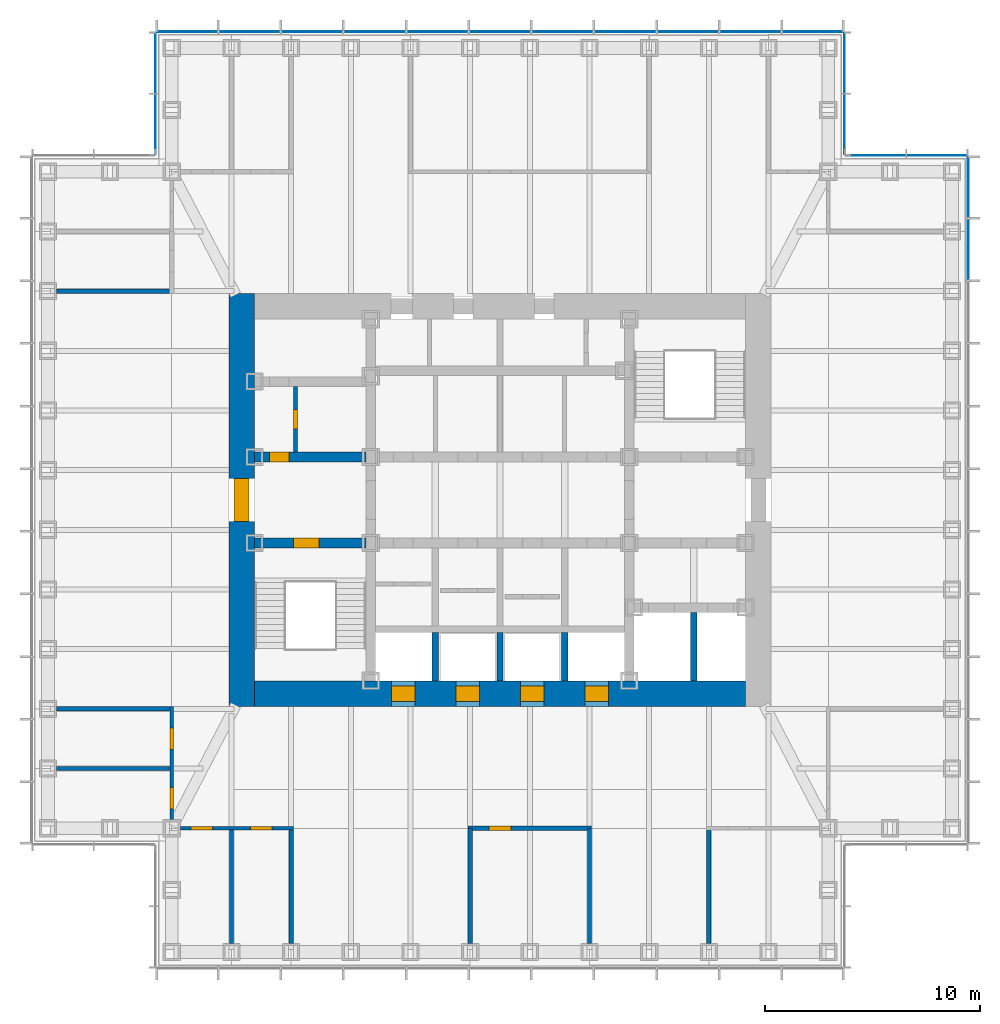
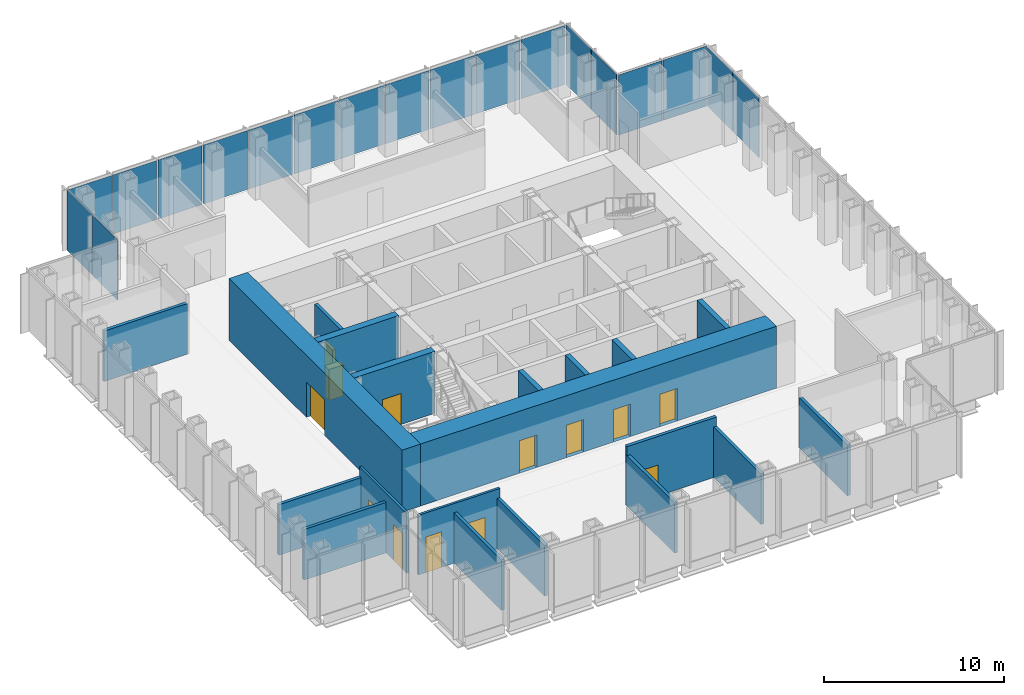
# One storey, part 8 of 16: 20 walls, 19 plates, 13 doors, 13 openings, 5 elements without a shape of their own.
"""IFC4 building model written with IfcOpenShell, lengths in metres."""

import ifcopenshell
import ifcopenshell.guid

model = None  # the IFC model being written
_history = None  # IfcOwnerHistory: only IFC2X3 demands one
_inside = {}  # id of a spatial element -> (the spatial element, [elements in it])
_under = {}  # id of a project, library or spatial element -> (it, [spatial elements below it])
_declared = {}  # id of a project -> (the project, [libraries it declares])
_typed = {}  # id of a type object -> (the type object, [elements of that type])
_made_of = {}  # id of a material, layer set ... -> (it, [elements and type objects made of it])


def new_model(schema):
    """Start an empty IFC model of exactly this schema.

    Asked for "IFC4X3", IfcOpenShell would pick the latest addendum, in which some entities
    have other attributes; the version numbers below select the first issue.
    IFC2X3 requires an IfcOwnerHistory on every rooted entity: one is made here for all.
    """
    global model, _history
    if schema == "IFC4X3":
        model = ifcopenshell.file(schema_version=(4, 3, 0, 0))
    else:
        model = ifcopenshell.file(schema=schema)
    _inside.clear()
    _under.clear()
    _declared.clear()
    _typed.clear()
    _made_of.clear()
    _history = None
    if model.schema == "IFC2X3":
        org = make("IfcOrganization", Name="unknown")
        user = make(
            "IfcPersonAndOrganization",
            ThePerson=make("IfcPerson", FamilyName="unknown"),
            TheOrganization=org,
        )
        app = make(
            "IfcApplication",
            ApplicationDeveloper=org,
            Version="unknown",
            ApplicationFullName="unknown",
            ApplicationIdentifier="unknown",
        )
        _history = make(
            "IfcOwnerHistory",
            OwningUser=user,
            OwningApplication=app,
            ChangeAction="ADDED",
            CreationDate=0,
        )
    return model


def make(cls, **values):
    """One entity of the class cls with the attributes given. An attribute that is None is left unset."""
    return model.create_entity(
        cls, **{name: value for name, value in values.items() if value is not None}
    )


def rooted(cls, **values):
    """An entity with a GlobalId (a new one), such as an element, a storey or a relation."""
    return make(cls, GlobalId=ifcopenshell.guid.new(), OwnerHistory=_history, **values)


def si_unit(unit_type, name, prefix=None):
    """IfcSIUnit, for example si_unit("LENGTHUNIT", "METRE", prefix="MILLI")."""
    return make("IfcSIUnit", UnitType=unit_type, Prefix=prefix, Name=name)


def assignment(units):
    """IfcUnitAssignment: the units of a project."""
    return None if units is None else make("IfcUnitAssignment", Units=units)


def point(xyz):
    """IfcCartesianPoint."""
    return None if xyz is None else make("IfcCartesianPoint", Coordinates=xyz)


def direction(xyz):
    """IfcDirection."""
    return None if xyz is None else make("IfcDirection", DirectionRatios=xyz)


def frame(location, z_axis=None, x_axis=None):
    """IfcAxis2Placement3D, a coordinate frame: its origin and axes. An axis left out is left unset."""
    return make(
        "IfcAxis2Placement3D",
        Location=point(location),
        Axis=direction(z_axis),
        RefDirection=direction(x_axis),
    )


def frame_2d(location, x_axis=None):
    """IfcAxis2Placement2D, a coordinate frame in the plane: its origin and x axis."""
    return make(
        "IfcAxis2Placement2D", Location=point(location), RefDirection=direction(x_axis)
    )


def origin():
    """The frame at (0, 0, 0) with its axes left unset."""
    return frame((0.0, 0.0, 0.0))


def origin_2d():
    """The frame at (0, 0) in the plane with its x axis left unset."""
    return frame_2d((0.0, 0.0))


def place(relative_to, where):
    """IfcLocalPlacement: puts the frame where relative to a parent placement (None: the world)."""
    return make(
        "IfcLocalPlacement", PlacementRelTo=relative_to, RelativePlacement=where
    )


def context(
    kind, dimensions, precision=None, world=None, true_north=None, identifier=None
):
    """IfcGeometricRepresentationContext, for example the 3D "Model" context."""
    return make(
        "IfcGeometricRepresentationContext",
        ContextIdentifier=identifier,
        ContextType=kind,
        CoordinateSpaceDimension=dimensions,
        Precision=precision,
        WorldCoordinateSystem=world,
        TrueNorth=true_north,
    )


def subcontext(parent, identifier, kind, view, scale=None):
    """IfcGeometricRepresentationSubContext, for example "Body" below "Model"."""
    return make(
        "IfcGeometricRepresentationSubContext",
        ContextIdentifier=identifier,
        ContextType=kind,
        ParentContext=parent,
        TargetScale=scale,
        TargetView=view,
    )


def project(units=None, contexts=None):
    """IfcProject with its units and contexts."""
    return rooted(
        "IfcProject",
        Name="project",
        RepresentationContexts=contexts,
        UnitsInContext=assignment(units),
    )


def spatial(cls, under=None, at=None, **own):
    """A site, building, storey or space (cls), placed at a placement, below another one or the project."""
    s = rooted(cls, ObjectPlacement=at, **own)
    if under is not None:
        _under.setdefault(under.id(), (under, []))[1].append(s)
    return s


def profile(cls, at=None, kind="AREA", **sizes):
    """A parametric profile (cls). Its sizes go by their IFC names, for example OverallWidth=200.0."""
    return make(cls, ProfileType=kind, Position=at, **sizes)


def rectangle(**sizes):
    """IfcRectangleProfileDef."""
    return profile("IfcRectangleProfileDef", **sizes)


def extrude(swept, where, along, depth):
    """IfcExtrudedAreaSolid: the profile swept, set in the frame where, extruded along a direction by depth."""
    return make(
        "IfcExtrudedAreaSolid",
        SweptArea=swept,
        Position=where,
        ExtrudedDirection=direction(along),
        Depth=depth,
    )


def shape(context_of_items, identifier, shape_type, items):
    """IfcShapeRepresentation: the items that make up one representation, for example the "Body"."""
    return make(
        "IfcShapeRepresentation",
        ContextOfItems=context_of_items,
        RepresentationIdentifier=identifier,
        RepresentationType=shape_type,
        Items=items,
    )


def material(Name=None, Category=None):
    """IfcMaterial."""
    return make("IfcMaterial", Name=Name, Category=Category)


def layer(
    of_material, thickness, ventilated=None, Name=None, Category=None, Priority=None
):
    """IfcMaterialLayer: one layer of a wall or slab, of a material (None: an air gap)."""
    return make(
        "IfcMaterialLayer",
        Material=of_material,
        LayerThickness=thickness,
        IsVentilated=ventilated,
        Name=Name,
        Category=Category,
        Priority=Priority,
    )


def layer_set(layers, Name=None):
    """IfcMaterialLayerSet."""
    return make("IfcMaterialLayerSet", MaterialLayers=layers, LayerSetName=Name)


def made_of(thing, what):
    """Note that an element or type object is made of a material, layer set ...; save() writes the relation."""
    if what is not None:
        _made_of.setdefault(what.id(), (what, []))[1].append(thing)
    return thing


def type_object(cls, material=None, **own):
    """A type object (cls), such as IfcWallType, which elements share."""
    return made_of(rooted(cls, **own), material)


def element(
    cls,
    number,
    at=None,
    inside=None,
    cuts=None,
    type_object=None,
    material=None,
    context=None,
    identifier="Body",
    shape_type=None,
    held_by="IfcProductDefinitionShape",
    body=None,
    shapes=None,
    **own,
):
    """One element of the class cls, such as IfcWall. Its Tag is "e" and its number.

    at: its placement. inside: the storey or other place that contains it. cuts: it is an
    opening in that element (IfcRelVoidsElement). A single representation is given by context,
    identifier, shape_type and body (its items); several are given by shapes. held_by: the class
    of the entity that holds the representations. save() writes the other relations.
    """
    e = rooted(cls, Tag="e%d" % number, ObjectPlacement=at, **own)
    if body is not None:
        shapes = [shape(context, identifier, shape_type, body)]
    if shapes is not None:
        e.Representation = make(held_by, Representations=shapes)
    if inside is not None:
        _inside.setdefault(inside.id(), (inside, []))[1].append(e)
    if cuts is not None:
        rooted(
            "IfcRelVoidsElement", RelatingBuildingElement=cuts, RelatedOpeningElement=e
        )
    if type_object is not None:
        _typed.setdefault(type_object.id(), (type_object, []))[1].append(e)
    return made_of(e, material)


def fill(opening, filler):
    """IfcRelFillsElement: the door or window that sits in an opening."""
    return rooted(
        "IfcRelFillsElement",
        RelatingOpeningElement=opening,
        RelatedBuildingElement=filler,
    )


def aggregate(whole, parts):
    """IfcRelAggregates: a whole, such as a stair, and the parts it consists of."""
    return rooted("IfcRelAggregates", RelatingObject=whole, RelatedObjects=parts)


def save(model, path):
    """Write the relations noted so far, then the file.

    IfcRelAggregates (storeys below a building ...), IfcRelContainedInSpatialStructure (elements
    in a storey), IfcRelDefinesByType, IfcRelAssociatesMaterial and IfcRelDeclares: one each for
    every whole, place, type object, material and project.
    """
    for whole, parts in _under.values():
        aggregate(whole, parts)
    for where, things in _inside.values():
        rooted(
            "IfcRelContainedInSpatialStructure",
            RelatedElements=things,
            RelatingStructure=where,
        )
    for kind, things in _typed.values():
        rooted("IfcRelDefinesByType", RelatedObjects=things, RelatingType=kind)
    for what, things in _made_of.values():
        rooted("IfcRelAssociatesMaterial", RelatedObjects=things, RelatingMaterial=what)
    for by, libraries in _declared.values():
        rooted("IfcRelDeclares", RelatingContext=by, RelatedDefinitions=libraries)
    model.write(path)


model = new_model("IFC4")

# Units and contexts
model_context = context("Model", 3, precision=1e-05, world=origin(), true_north=direction((0.0, 1.0)))
body_context = subcontext(model_context, "Body", "Model", "MODEL_VIEW")
ifc_project = project(units=[si_unit("LENGTHUNIT", "METRE"), si_unit("AREAUNIT", "SQUARE_METRE"), si_unit("VOLUMEUNIT", "CUBIC_METRE"), si_unit("PLANEANGLEUNIT", "RADIAN"), si_unit("MASSUNIT", "GRAM", prefix="KILO")], contexts=[model_context])

# Site, building, storey
site_placement = place(None, origin())
site = spatial("IfcSite", under=ifc_project, at=site_placement, CompositionType="ELEMENT")
building_placement = place(site_placement, origin())
building = spatial("IfcBuilding", under=site, at=building_placement, Name="Daluyong Arena Tower", CompositionType="ELEMENT")
storey_placement = place(building_placement, frame((0.0, 0.0, 262.89990234375)))
storey = spatial("IfcBuildingStorey", under=building, at=storey_placement, Name="L59", CompositionType="ELEMENT", Elevation=262.89990234375)

# Curtain wall, plates
ifc_material_1 = material(Name="Bronze anodised aluminium and glass", Category="aluminium")
curtain_wall_type_1 = type_object("IfcCurtainWallType", Name="Curtain wall CW4", PredefinedType="USERDEFINED", material=ifc_material_1)
curtain_wall_1_placement = place(storey_placement, origin())
curtain_wall_1 = element("IfcCurtainWall", 1, at=curtain_wall_1_placement, inside=storey, type_object=curtain_wall_type_1, Name="curtain wall L59 E", ObjectType="UNITISED CURTAIN WALL", PredefinedType="USERDEFINED")
ifc_material_2 = material(Name="Tinted laminated double glazed unit", Category="glass")
ifc_layer_1 = layer(ifc_material_2, 0.035888671875)
ifc_layer_set_1 = layer_set([ifc_layer_1], Name="Tinted laminated double glazed unit")
plate_type_1 = type_object("IfcPlateType", Name="CW4 panel 36", PredefinedType="CURTAIN_PANEL", material=ifc_layer_set_1)
plate_1_placement = place(storey_placement, frame((77.75, 91.636474609375, 0.0), z_axis=(0.0, 0.0, 1.0), x_axis=(0.0, 1.0, 0.0)))
plate_1 = element("IfcPlate", 2, at=plate_1_placement, type_object=plate_type_1, Name="curtain wall L59 E panel 10", PredefinedType="CURTAIN_PANEL", context=body_context, shape_type="SweptSolid", body=[
    extrude(rectangle(XDim=2.819091796875, YDim=0.035888671875, at=origin_2d()), origin(), (0.0, 0.0, 1.0), 4.0),
])
plate_2_placement = place(storey_placement, frame((77.75, 94.52294921875, 0.0), z_axis=(0.0, 0.0, 1.0), x_axis=(0.0, 1.0, 0.0)))
plate_2 = element("IfcPlate", 3, at=plate_2_placement, type_object=plate_type_1, Name="curtain wall L59 E panel 11", PredefinedType="CURTAIN_PANEL", context=body_context, shape_type="SweptSolid", body=[
    extrude(rectangle(XDim=2.774169921875, YDim=0.035888671875, at=origin_2d()), origin(), (0.0, 0.0, 1.0), 4.0),
])
aggregate(curtain_wall_1, [plate_1, plate_2])

curtain_wall_2_placement = place(storey_placement, origin())
curtain_wall_2 = element("IfcCurtainWall", 4, at=curtain_wall_2_placement, inside=storey, type_object=curtain_wall_type_1, Name="curtain wall L59 N", ObjectType="UNITISED CURTAIN WALL", PredefinedType="USERDEFINED")
plate_3_placement = place(storey_placement, frame((70.52294921875, 101.75, 0.0), z_axis=(0.0, 0.0, 1.0), x_axis=(-1.0, 0.0, 0.0)))
plate_3 = element("IfcPlate", 5, at=plate_3_placement, type_object=plate_type_1, Name="curtain wall L59 N panel 1", PredefinedType="CURTAIN_PANEL", context=body_context, shape_type="SweptSolid", body=[
    extrude(rectangle(XDim=2.774169921875, YDim=0.035888671875, at=origin_2d()), origin(), (0.0, 0.0, 1.0), 4.0),
])
plate_4_placement = place(storey_placement, frame((67.636474609375, 101.75, 0.0), z_axis=(0.0, 0.0, 1.0), x_axis=(-1.0, 0.0, 0.0)))
plate_4 = element("IfcPlate", 6, at=plate_4_placement, type_object=plate_type_1, Name="curtain wall L59 N panel 2", PredefinedType="CURTAIN_PANEL", context=body_context, shape_type="SweptSolid", body=[
    extrude(rectangle(XDim=2.819091796875, YDim=0.035888671875, at=origin_2d()), origin(), (0.0, 0.0, 1.0), 4.0),
])
plate_5_placement = place(storey_placement, frame((64.727294921875, 101.75, 0.0), z_axis=(0.0, 0.0, 1.0), x_axis=(-1.0, 0.0, 0.0)))
plate_5 = element("IfcPlate", 7, at=plate_5_placement, type_object=plate_type_1, Name="curtain wall L59 N panel 3", PredefinedType="CURTAIN_PANEL", context=body_context, shape_type="SweptSolid", body=[
    extrude(rectangle(XDim=2.819091796875, YDim=0.035888671875, at=origin_2d()), origin(), (0.0, 0.0, 1.0), 4.0),
])
plate_6_placement = place(storey_placement, frame((61.818115234375, 101.75, 0.0), z_axis=(0.0, 0.0, 1.0), x_axis=(-1.0, 0.0, 0.0)))
plate_6 = element("IfcPlate", 8, at=plate_6_placement, type_object=plate_type_1, Name="curtain wall L59 N panel 4", PredefinedType="CURTAIN_PANEL", context=body_context, shape_type="SweptSolid", body=[
    extrude(rectangle(XDim=2.819091796875, YDim=0.035888671875, at=origin_2d()), origin(), (0.0, 0.0, 1.0), 4.0),
])
plate_7_placement = place(storey_placement, frame((58.9091796875, 101.75, 0.0), z_axis=(0.0, 0.0, 1.0), x_axis=(-1.0, 0.0, 0.0)))
plate_7 = element("IfcPlate", 9, at=plate_7_placement, type_object=plate_type_1, Name="curtain wall L59 N panel 5", PredefinedType="CURTAIN_PANEL", context=body_context, shape_type="SweptSolid", body=[
    extrude(rectangle(XDim=2.819091796875, YDim=0.035888671875, at=origin_2d()), origin(), (0.0, 0.0, 1.0), 4.0),
])
plate_8_placement = place(storey_placement, frame((56.0, 101.75, 0.0), z_axis=(0.0, 0.0, 1.0), x_axis=(-1.0, 0.0, 0.0)))
plate_8 = element("IfcPlate", 10, at=plate_8_placement, type_object=plate_type_1, Name="curtain wall L59 N panel 6", PredefinedType="CURTAIN_PANEL", context=body_context, shape_type="SweptSolid", body=[
    extrude(rectangle(XDim=2.819091796875, YDim=0.035888671875, at=origin_2d()), origin(), (0.0, 0.0, 1.0), 4.0),
])
plate_9_placement = place(storey_placement, frame((53.0908203125, 101.75, 0.0), z_axis=(0.0, 0.0, 1.0), x_axis=(-1.0, 0.0, 0.0)))
plate_9 = element("IfcPlate", 11, at=plate_9_placement, type_object=plate_type_1, Name="curtain wall L59 N panel 7", PredefinedType="CURTAIN_PANEL", context=body_context, shape_type="SweptSolid", body=[
    extrude(rectangle(XDim=2.819091796875, YDim=0.035888671875, at=origin_2d()), origin(), (0.0, 0.0, 1.0), 4.0),
])
plate_10_placement = place(storey_placement, frame((50.181884765625, 101.75, 0.0), z_axis=(0.0, 0.0, 1.0), x_axis=(-1.0, 0.0, 0.0)))
plate_10 = element("IfcPlate", 12, at=plate_10_placement, type_object=plate_type_1, Name="curtain wall L59 N panel 8", PredefinedType="CURTAIN_PANEL", context=body_context, shape_type="SweptSolid", body=[
    extrude(rectangle(XDim=2.819091796875, YDim=0.035888671875, at=origin_2d()), origin(), (0.0, 0.0, 1.0), 4.0),
])
plate_11_placement = place(storey_placement, frame((47.272705078125, 101.75, 0.0), z_axis=(0.0, 0.0, 1.0), x_axis=(-1.0, 0.0, 0.0)))
plate_11 = element("IfcPlate", 13, at=plate_11_placement, type_object=plate_type_1, Name="curtain wall L59 N panel 9", PredefinedType="CURTAIN_PANEL", context=body_context, shape_type="SweptSolid", body=[
    extrude(rectangle(XDim=2.819091796875, YDim=0.035888671875, at=origin_2d()), origin(), (0.0, 0.0, 1.0), 4.0),
])
plate_12_placement = place(storey_placement, frame((44.363525390625, 101.75, 0.0), z_axis=(0.0, 0.0, 1.0), x_axis=(-1.0, 0.0, 0.0)))
plate_12 = element("IfcPlate", 14, at=plate_12_placement, type_object=plate_type_1, Name="curtain wall L59 N panel 10", PredefinedType="CURTAIN_PANEL", context=body_context, shape_type="SweptSolid", body=[
    extrude(rectangle(XDim=2.819091796875, YDim=0.035888671875, at=origin_2d()), origin(), (0.0, 0.0, 1.0), 4.0),
])
plate_13_placement = place(storey_placement, frame((41.47705078125, 101.75, 0.0), z_axis=(0.0, 0.0, 1.0), x_axis=(-1.0, 0.0, 0.0)))
plate_13 = element("IfcPlate", 15, at=plate_13_placement, type_object=plate_type_1, Name="curtain wall L59 N panel 11", PredefinedType="CURTAIN_PANEL", context=body_context, shape_type="SweptSolid", body=[
    extrude(rectangle(XDim=2.774169921875, YDim=0.035888671875, at=origin_2d()), origin(), (0.0, 0.0, 1.0), 4.0),
])
aggregate(curtain_wall_2, [plate_3, plate_4, plate_5, plate_6, plate_7, plate_8, plate_9, plate_10, plate_11, plate_12, plate_13])

ifc_material_3 = material(Name="Bronze anodised aluminium and glass", Category="aluminium")
curtain_wall_type_2 = type_object("IfcCurtainWallType", Name="Curtain wall CW7", PredefinedType="USERDEFINED", material=ifc_material_3)
curtain_wall_3_placement = place(storey_placement, origin())
curtain_wall_3 = element("IfcCurtainWall", 16, at=curtain_wall_3_placement, inside=storey, type_object=curtain_wall_type_2, Name="curtain wall L59 NE-N", ObjectType="UNITISED CURTAIN WALL", PredefinedType="USERDEFINED")
ifc_material_4 = material(Name="Tinted double glazed unit", Category="glass")
ifc_layer_2 = layer(ifc_material_4, 0.028076171875)
ifc_layer_set_2 = layer_set([ifc_layer_2], Name="Tinted double glazed unit")
plate_type_2 = type_object("IfcPlateType", Name="CW7 panel 28", PredefinedType="CURTAIN_PANEL", material=ifc_layer_set_2)
plate_14_placement = place(storey_placement, frame((76.297607421875, 96.0, 0.0), z_axis=(0.0, 0.0, 1.0), x_axis=(-1.0, 0.0, 0.0)))
plate_14 = element("IfcPlate", 17, at=plate_14_placement, type_object=plate_type_2, Name="curtain wall L59 NE-N panel 1", PredefinedType="CURTAIN_PANEL", context=body_context, shape_type="SweptSolid", body=[
    extrude(rectangle(XDim=2.784912109375, YDim=0.028076171875, at=origin_2d()), origin(), (0.0, 0.0, 1.0), 4.080078125),
])
plate_15_placement = place(storey_placement, frame((73.452392578125, 96.0, 0.0), z_axis=(0.0, 0.0, 1.0), x_axis=(-1.0, 0.0, 0.0)))
plate_15 = element("IfcPlate", 18, at=plate_15_placement, type_object=plate_type_2, Name="curtain wall L59 NE-N panel 2", PredefinedType="CURTAIN_PANEL", context=body_context, shape_type="SweptSolid", body=[
    extrude(rectangle(XDim=2.784912109375, YDim=0.028076171875, at=origin_2d()), origin(), (0.0, 0.0, 1.0), 4.080078125),
])
aggregate(curtain_wall_3, [plate_14, plate_15])

curtain_wall_4_placement = place(storey_placement, origin())
curtain_wall_4 = element("IfcCurtainWall", 19, at=curtain_wall_4_placement, inside=storey, type_object=curtain_wall_type_2, Name="curtain wall L59 NE-E", ObjectType="UNITISED CURTAIN WALL", PredefinedType="USERDEFINED")
plate_16_placement = place(storey_placement, frame((72.0, 97.452392578125, 0.0), z_axis=(0.0, 0.0, 1.0), x_axis=(0.0, 1.0, 0.0)))
plate_16 = element("IfcPlate", 20, at=plate_16_placement, type_object=plate_type_2, Name="curtain wall L59 NE-E panel 1", PredefinedType="CURTAIN_PANEL", context=body_context, shape_type="SweptSolid", body=[
    extrude(rectangle(XDim=2.784912109375, YDim=0.028076171875, at=origin_2d()), origin(), (0.0, 0.0, 1.0), 4.080078125),
])
plate_17_placement = place(storey_placement, frame((72.0, 100.297607421875, 0.0), z_axis=(0.0, 0.0, 1.0), x_axis=(0.0, 1.0, 0.0)))
plate_17 = element("IfcPlate", 21, at=plate_17_placement, type_object=plate_type_2, Name="curtain wall L59 NE-E panel 2", PredefinedType="CURTAIN_PANEL", context=body_context, shape_type="SweptSolid", body=[
    extrude(rectangle(XDim=2.784912109375, YDim=0.028076171875, at=origin_2d()), origin(), (0.0, 0.0, 1.0), 4.080078125),
])
aggregate(curtain_wall_4, [plate_16, plate_17])

curtain_wall_5_placement = place(storey_placement, origin())
curtain_wall_5 = element("IfcCurtainWall", 22, at=curtain_wall_5_placement, inside=storey, type_object=curtain_wall_type_2, Name="curtain wall L59 NW-W", ObjectType="UNITISED CURTAIN WALL", PredefinedType="USERDEFINED")
plate_18_placement = place(storey_placement, frame((40.0, 100.297607421875, 0.0), z_axis=(0.0, 0.0, 1.0), x_axis=(0.0, -1.0, 0.0)))
plate_18 = element("IfcPlate", 23, at=plate_18_placement, type_object=plate_type_2, Name="curtain wall L59 NW-W panel 1", PredefinedType="CURTAIN_PANEL", context=body_context, shape_type="SweptSolid", body=[
    extrude(rectangle(XDim=2.784912109375, YDim=0.028076171875, at=origin_2d()), origin(), (0.0, 0.0, 1.0), 4.080078125),
])
plate_19_placement = place(storey_placement, frame((40.0, 97.452392578125, 0.0), z_axis=(0.0, 0.0, 1.0), x_axis=(0.0, -1.0, 0.0)))
plate_19 = element("IfcPlate", 24, at=plate_19_placement, type_object=plate_type_2, Name="curtain wall L59 NW-W panel 2", PredefinedType="CURTAIN_PANEL", context=body_context, shape_type="SweptSolid", body=[
    extrude(rectangle(XDim=2.784912109375, YDim=0.028076171875, at=origin_2d()), origin(), (0.0, 0.0, 1.0), 4.080078125),
])
aggregate(curtain_wall_5, [plate_18, plate_19])

# Wall, opening, door
ifc_material_5 = material(Name="Concrete fc' 45 MPa", Category="concrete")
ifc_layer_3 = layer(ifc_material_5, 0.449951171875)
ifc_layer_set_3 = layer_set([ifc_layer_3], Name="Concrete fc' 45 MPa")
wall_type_1 = type_object("IfcWallType", Name="Core inner wall 450", PredefinedType="SHEAR", material=ifc_layer_set_3)
wall_1_placement = place(storey_placement, frame((44.60009765625, 78.0, 0.0), z_axis=(0.0, 0.0, 1.0), x_axis=(1.0, 0.0, 0.0)))
wall_1 = element("IfcWall", 25, at=wall_1_placement, inside=storey, type_object=wall_type_1, Name="core inner wall at L59", PredefinedType="SHEAR", context=body_context, shape_type="SweptSolid", body=[
    extrude(rectangle(XDim=5.1748046875, YDim=0.449951171875, at=frame_2d((2.58740234375, 0.0))), origin(), (0.0, 0.0, 1.0), 4.2001953125),
])
opening_1_placement = place(wall_1_placement, frame((1.800048828125, 0.0, 0.0)))
opening_1 = element("IfcOpeningElement", 26, at=opening_1_placement, cuts=wall_1, Name="Opening 59019", PredefinedType="OPENING", context=body_context, shape_type="SweptSolid", body=[
    extrude(rectangle(XDim=1.199951171875, YDim=2.10009765625, at=frame_2d((0.60009765625, 1.050048828125))), frame((0.0, 0.23486328125, 0.0), z_axis=(0.0, -1.0, 0.0), x_axis=(1.0, 0.0, 0.0)), (0.0, 0.0, 1.0), 0.469970703125),
])
ifc_material_6 = material(Name="Steel door, fire rated", Category="steel")
door_type_1 = type_object("IfcDoorType", Name="Stair door 1200", OperationType="SINGLE_SWING_LEFT", PredefinedType="DOOR", material=ifc_material_6)
door_1_placement = place(opening_1_placement, origin())
door_1 = element("IfcDoor", 27, at=door_1_placement, inside=storey, type_object=door_type_1, Name="stair A door 59019", OperationType="SINGLE_SWING_LEFT", OverallHeight=2.10009765625, OverallWidth=1.199951171875, PredefinedType="DOOR", context=body_context, shape_type="SweptSolid", body=[
    extrude(rectangle(XDim=1.199951171875, YDim=2.10009765625, at=frame_2d((0.60009765625, 1.050048828125))), frame((0.0, 0.224609375, 0.0), z_axis=(0.0, -1.0, 0.0), x_axis=(1.0, 0.0, 0.0)), (0.0, 0.0, 1.0), 0.449462890625),
])
fill(opening_1, door_1)

wall_2_placement = place(storey_placement, frame((44.60009765625, 82.0, 0.0), z_axis=(0.0, 0.0, 1.0), x_axis=(1.0, 0.0, 0.0)))
wall_2 = element("IfcWall", 28, at=wall_2_placement, inside=storey, type_object=wall_type_1, Name="core inner wall at L59", PredefinedType="SHEAR", context=body_context, shape_type="SweptSolid", body=[
    extrude(rectangle(XDim=5.1748046875, YDim=0.449951171875, at=frame_2d((2.58740234375, 0.0))), origin(), (0.0, 0.0, 1.0), 4.2001953125),
])
opening_2_placement = place(wall_2_placement, frame((0.699951171875, 0.0, 0.0)))
opening_2 = element("IfcOpeningElement", 29, at=opening_2_placement, cuts=wall_2, Name="Opening 59001", PredefinedType="OPENING", context=body_context, shape_type="SweptSolid", body=[
    extrude(rectangle(XDim=0.89990234375, YDim=2.10009765625, at=frame_2d((0.449951171875, 1.050048828125))), frame((0.0, 0.23486328125, 0.0), z_axis=(0.0, -1.0, 0.0), x_axis=(1.0, 0.0, 0.0)), (0.0, 0.0, 1.0), 0.469970703125),
])
ifc_material_7 = material(Name="Steel door, fire rated", Category="steel")
door_type_2 = type_object("IfcDoorType", Name="Core room door 900", OperationType="SINGLE_SWING_LEFT", PredefinedType="DOOR", material=ifc_material_7)
door_2_placement = place(opening_2_placement, origin())
door_2 = element("IfcDoor", 30, at=door_2_placement, inside=storey, type_object=door_type_2, Name="toilet lobby door 59001", OperationType="SINGLE_SWING_LEFT", OverallHeight=2.10009765625, OverallWidth=0.89990234375, PredefinedType="DOOR", context=body_context, shape_type="SweptSolid", body=[
    extrude(rectangle(XDim=0.89990234375, YDim=2.10009765625, at=frame_2d((0.449951171875, 1.050048828125))), frame((0.0, 0.224609375, 0.0), z_axis=(0.0, -1.0, 0.0), x_axis=(1.0, 0.0, 0.0)), (0.0, 0.0, 1.0), 0.449462890625),
])
fill(opening_2, door_2)

ifc_material_8 = material(Name="Concrete fc' 60 MPa", Category="concrete")
ifc_layer_4 = layer(ifc_material_8, 1.199951171875)
ifc_layer_set_4 = layer_set([ifc_layer_4], Name="Concrete fc' 60 MPa")
wall_type_2 = type_object("IfcWallType", Name="Core wall 1200", PredefinedType="SHEAR", material=ifc_layer_set_4)
wall_3_placement = place(storey_placement, frame((44.0, 70.39990234375, 0.0), z_axis=(0.0, 0.0, 1.0), x_axis=(0.0, 1.0, 0.0)))
wall_3 = element("IfcWall", 31, at=wall_3_placement, inside=storey, type_object=wall_type_2, Name="core wall at L59", PredefinedType="SHEAR", context=body_context, shape_type="SweptSolid", body=[
    extrude(rectangle(XDim=19.2001953125, YDim=1.199951171875, at=frame_2d((9.60009765625, 0.0))), origin(), (0.0, 0.0, 1.0), 4.2001953125),
])
opening_3_placement = place(wall_3_placement, frame((8.60009765625, 0.0, 0.0)))
opening_3 = element("IfcOpeningElement", 32, at=opening_3_placement, cuts=wall_3, Name="Opening 59021", PredefinedType="OPENING", context=body_context, shape_type="SweptSolid", body=[
    extrude(rectangle(XDim=2.0, YDim=2.39990234375, at=frame_2d((1.0, 1.199951171875))), frame((0.0, 0.60986328125, 0.0), z_axis=(0.0, -1.0, 0.0), x_axis=(1.0, 0.0, 0.0)), (0.0, 0.0, 1.0), 1.219970703125),
])
ifc_material_9 = material(Name="Steel door, fire rated", Category="steel")
door_type_3 = type_object("IfcDoorType", Name="Core lobby double door 2000", OperationType="DOUBLE_DOOR_SINGLE_SWING", PredefinedType="DOOR", material=ifc_material_9)
door_3_placement = place(opening_3_placement, origin())
door_3 = element("IfcDoor", 33, at=door_3_placement, inside=storey, type_object=door_type_3, Name="core lobby door west 59021", OperationType="DOUBLE_DOOR_SINGLE_SWING", OverallHeight=2.39990234375, OverallWidth=2.0, PredefinedType="DOOR", context=body_context, shape_type="SweptSolid", body=[
    extrude(rectangle(XDim=2.0, YDim=2.39990234375, at=frame_2d((1.0, 1.199951171875))), frame((0.0, 0.35009765625, 0.0), z_axis=(0.0, -1.0, 0.0), x_axis=(1.0, 0.0, 0.0)), (0.0, 0.0, 1.0), 0.699951171875),
])
fill(opening_3, door_3)

# Wall, openings, doors
wall_4_placement = place(storey_placement, frame((44.60009765625, 71.0, 0.0), z_axis=(0.0, 0.0, 1.0), x_axis=(1.0, 0.0, 0.0)))
wall_4 = element("IfcWall", 34, at=wall_4_placement, inside=storey, type_object=wall_type_2, Name="core wall at L59", PredefinedType="SHEAR", context=body_context, shape_type="SweptSolid", body=[
    extrude(rectangle(XDim=22.7998046875, YDim=1.199951171875, at=frame_2d((11.39990234375, 0.0))), origin(), (0.0, 0.0, 1.0), 4.2001953125),
])
opening_4_placement = place(wall_4_placement, frame((6.35009765625, 0.0, 0.0)))
opening_4 = element("IfcOpeningElement", 35, at=opening_4_placement, cuts=wall_4, Name="Opening 59026", PredefinedType="OPENING", context=body_context, shape_type="SweptSolid", body=[
    extrude(rectangle(XDim=1.10009765625, YDim=2.199951171875, at=frame_2d((0.550048828125, 1.10009765625))), frame((0.0, 0.60986328125, 0.0), z_axis=(0.0, -1.0, 0.0), x_axis=(1.0, 0.0, 0.0)), (0.0, 0.0, 1.0), 1.219970703125),
])
opening_5_placement = place(wall_4_placement, frame((9.35009765625, 0.0, 0.0)))
opening_5 = element("IfcOpeningElement", 36, at=opening_5_placement, cuts=wall_4, Name="Opening 59027", PredefinedType="OPENING", context=body_context, shape_type="SweptSolid", body=[
    extrude(rectangle(XDim=1.10009765625, YDim=2.199951171875, at=frame_2d((0.550048828125, 1.10009765625))), frame((0.0, 0.60986328125, 0.0), z_axis=(0.0, -1.0, 0.0), x_axis=(1.0, 0.0, 0.0)), (0.0, 0.0, 1.0), 1.219970703125),
])
opening_6_placement = place(wall_4_placement, frame((12.35009765625, 0.0, 0.0)))
opening_6 = element("IfcOpeningElement", 37, at=opening_6_placement, cuts=wall_4, Name="Opening 59028", PredefinedType="OPENING", context=body_context, shape_type="SweptSolid", body=[
    extrude(rectangle(XDim=1.10009765625, YDim=2.199951171875, at=frame_2d((0.550048828125, 1.10009765625))), frame((0.0, 0.60986328125, 0.0), z_axis=(0.0, -1.0, 0.0), x_axis=(1.0, 0.0, 0.0)), (0.0, 0.0, 1.0), 1.219970703125),
])
opening_7_placement = place(wall_4_placement, frame((15.35009765625, 0.0, 0.0)))
opening_7 = element("IfcOpeningElement", 38, at=opening_7_placement, cuts=wall_4, Name="Opening 59029", PredefinedType="OPENING", context=body_context, shape_type="SweptSolid", body=[
    extrude(rectangle(XDim=1.10009765625, YDim=2.199951171875, at=frame_2d((0.550048828125, 1.10009765625))), frame((0.0, 0.60986328125, 0.0), z_axis=(0.0, -1.0, 0.0), x_axis=(1.0, 0.0, 0.0)), (0.0, 0.0, 1.0), 1.219970703125),
])
ifc_material_10 = material(Name="Steel door, fire rated", Category="steel")
door_type_4 = type_object("IfcDoorType", Name="Lift landing door 1100", OperationType="SLIDING_TO_LEFT", PredefinedType="DOOR", material=ifc_material_10)
door_4_placement = place(opening_4_placement, origin())
door_4 = element("IfcDoor", 39, at=door_4_placement, inside=storey, type_object=door_type_4, Name="lift landing door C1 59026", OperationType="SLIDING_TO_LEFT", OverallHeight=2.199951171875, OverallWidth=1.10009765625, PredefinedType="DOOR", context=body_context, shape_type="SweptSolid", body=[
    extrude(rectangle(XDim=1.10009765625, YDim=2.199951171875, at=frame_2d((0.550048828125, 1.10009765625))), frame((0.0, 0.35009765625, 0.0), z_axis=(0.0, -1.0, 0.0), x_axis=(1.0, 0.0, 0.0)), (0.0, 0.0, 1.0), 0.699951171875),
])
fill(opening_4, door_4)
door_5_placement = place(opening_5_placement, origin())
door_5 = element("IfcDoor", 40, at=door_5_placement, inside=storey, type_object=door_type_4, Name="lift landing door C2 59027", OperationType="SLIDING_TO_LEFT", OverallHeight=2.199951171875, OverallWidth=1.10009765625, PredefinedType="DOOR", context=body_context, shape_type="SweptSolid", body=[
    extrude(rectangle(XDim=1.10009765625, YDim=2.199951171875, at=frame_2d((0.550048828125, 1.10009765625))), frame((0.0, 0.35009765625, 0.0), z_axis=(0.0, -1.0, 0.0), x_axis=(1.0, 0.0, 0.0)), (0.0, 0.0, 1.0), 0.699951171875),
])
fill(opening_5, door_5)
door_6_placement = place(opening_6_placement, origin())
door_6 = element("IfcDoor", 41, at=door_6_placement, inside=storey, type_object=door_type_4, Name="lift landing door C3 59028", OperationType="SLIDING_TO_LEFT", OverallHeight=2.199951171875, OverallWidth=1.10009765625, PredefinedType="DOOR", context=body_context, shape_type="SweptSolid", body=[
    extrude(rectangle(XDim=1.10009765625, YDim=2.199951171875, at=frame_2d((0.550048828125, 1.10009765625))), frame((0.0, 0.35009765625, 0.0), z_axis=(0.0, -1.0, 0.0), x_axis=(1.0, 0.0, 0.0)), (0.0, 0.0, 1.0), 0.699951171875),
])
fill(opening_6, door_6)
door_7_placement = place(opening_7_placement, origin())
door_7 = element("IfcDoor", 42, at=door_7_placement, inside=storey, type_object=door_type_4, Name="lift landing door C4 59029", OperationType="SLIDING_TO_LEFT", OverallHeight=2.199951171875, OverallWidth=1.10009765625, PredefinedType="DOOR", context=body_context, shape_type="SweptSolid", body=[
    extrude(rectangle(XDim=1.10009765625, YDim=2.199951171875, at=frame_2d((0.550048828125, 1.10009765625))), frame((0.0, 0.35009765625, 0.0), z_axis=(0.0, -1.0, 0.0), x_axis=(1.0, 0.0, 0.0)), (0.0, 0.0, 1.0), 0.699951171875),
])
fill(opening_7, door_7)

# Wall, opening, door
ifc_material_11 = material(Name="Concrete block partition, fire rated", Category="concrete")
ifc_layer_5 = layer(ifc_material_11, 0.199951171875)
ifc_layer_set_5 = layer_set([ifc_layer_5], Name="Concrete block partition, fire rated")
wall_type_3 = type_object("IfcWallType", Name="Fire-rated partition 200", PredefinedType="PARTITIONING", material=ifc_layer_set_5)
wall_5_placement = place(storey_placement, frame((46.5, 82.22509765625, 0.0), z_axis=(0.0, 0.0, 1.0), x_axis=(0.0, 1.0, 0.0)))
wall_5 = element("IfcWall", 43, at=wall_5_placement, inside=storey, type_object=wall_type_3, Name="toilet lobby partition at L59", PredefinedType="PARTITIONING", context=body_context, shape_type="SweptSolid", body=[
    extrude(rectangle(XDim=3.0498046875, YDim=0.199951171875, at=frame_2d((1.52490234375, 0.0))), origin(), (0.0, 0.0, 1.0), 4.0400390625),
])
opening_8_placement = place(wall_5_placement, frame((1.074951171875, 0.0, 0.0)))
opening_8 = element("IfcOpeningElement", 44, at=opening_8_placement, cuts=wall_5, Name="Opening 59002", PredefinedType="OPENING", context=body_context, shape_type="SweptSolid", body=[
    extrude(rectangle(XDim=0.89990234375, YDim=2.10009765625, at=frame_2d((0.449951171875, 1.050048828125))), frame((0.0, 0.10986328125, 0.0), z_axis=(0.0, -1.0, 0.0), x_axis=(1.0, 0.0, 0.0)), (0.0, 0.0, 1.0), 0.219970703125),
])
ifc_material_12 = material(Name="Timber door", Category="wood")
door_type_5 = type_object("IfcDoorType", Name="Toilet door 900", OperationType="SINGLE_SWING_RIGHT", PredefinedType="DOOR", material=ifc_material_12)
door_8_placement = place(opening_8_placement, origin())
door_8 = element("IfcDoor", 45, at=door_8_placement, inside=storey, type_object=door_type_5, Name="male toilet door 59002", OperationType="SINGLE_SWING_RIGHT", OverallHeight=2.10009765625, OverallWidth=0.89990234375, PredefinedType="DOOR", context=body_context, shape_type="SweptSolid", body=[
    extrude(rectangle(XDim=0.89990234375, YDim=2.10009765625, at=frame_2d((0.449951171875, 1.050048828125))), frame((0.0, 0.099609375, 0.0), z_axis=(0.0, -1.0, 0.0), x_axis=(1.0, 0.0, 0.0)), (0.0, 0.0, 1.0), 0.199462890625),
])
fill(opening_8, door_8)

# Wall, openings, doors
ifc_material_13 = material(Name="Glazed aluminium partition", Category="aluminium")
ifc_layer_6 = layer(ifc_material_13, 0.14990234375)
ifc_layer_set_6 = layer_set([ifc_layer_6], Name="Glazed aluminium partition")
wall_type_4 = type_object("IfcWallType", Name="Glazed partition 150", PredefinedType="PARTITIONING", material=ifc_layer_set_6)
wall_6_placement = place(storey_placement, frame((41.14990234375, 64.75, 0.0), z_axis=(0.0, 0.0, 1.0), x_axis=(1.0, 0.0, 0.0)))
wall_6 = element("IfcWall", 46, at=wall_6_placement, inside=storey, type_object=wall_type_4, Name="glazed partition at L59", PredefinedType="PARTITIONING", context=body_context, shape_type="SweptSolid", body=[
    extrude(rectangle(XDim=5.24560546875, YDim=0.14990234375, at=frame_2d((2.622802734375, 0.0))), origin(), (0.0, 0.0, 1.0), 4.0400390625),
])
opening_9_placement = place(wall_6_placement, frame((0.486328125, 0.0, 0.0)))
opening_9 = element("IfcOpeningElement", 47, at=opening_9_placement, cuts=wall_6, Name="Opening 59032", PredefinedType="OPENING", context=body_context, shape_type="SweptSolid", body=[
    extrude(rectangle(XDim=1.0, YDim=2.39990234375, at=frame_2d((0.5, 1.199951171875))), frame((0.0, 0.0849609375, 0.0), z_axis=(0.0, -1.0, 0.0), x_axis=(1.0, 0.0, 0.0)), (0.0, 0.0, 1.0), 0.169921875),
])
opening_10_placement = place(wall_6_placement, frame((3.259033203125, 0.0, 0.0)))
opening_10 = element("IfcOpeningElement", 48, at=opening_10_placement, cuts=wall_6, Name="Opening 59033", PredefinedType="OPENING", context=body_context, shape_type="SweptSolid", body=[
    extrude(rectangle(XDim=1.0, YDim=2.39990234375, at=frame_2d((0.5, 1.199951171875))), frame((0.0, 0.0849609375, 0.0), z_axis=(0.0, -1.0, 0.0), x_axis=(1.0, 0.0, 0.0)), (0.0, 0.0, 1.0), 0.169921875),
])
ifc_material_14 = material(Name="Glazed aluminium door", Category="aluminium")
door_type_6 = type_object("IfcDoorType", Name="Meeting room glazed door 1000", OperationType="SINGLE_SWING_RIGHT", PredefinedType="DOOR", material=ifc_material_14)
door_9_placement = place(opening_9_placement, origin())
door_9 = element("IfcDoor", 49, at=door_9_placement, inside=storey, type_object=door_type_6, Name="meeting room door 59032", OperationType="SINGLE_SWING_RIGHT", OverallHeight=2.39990234375, OverallWidth=1.0, PredefinedType="DOOR", context=body_context, shape_type="SweptSolid", body=[
    extrude(rectangle(XDim=1.0, YDim=2.39990234375, at=frame_2d((0.5, 1.199951171875))), frame((0.0, 0.07470703125, 0.0), z_axis=(0.0, -1.0, 0.0), x_axis=(1.0, 0.0, 0.0)), (0.0, 0.0, 1.0), 0.1494140625),
])
fill(opening_9, door_9)
door_10_placement = place(opening_10_placement, origin())
door_10 = element("IfcDoor", 50, at=door_10_placement, inside=storey, type_object=door_type_6, Name="focus room door 59033", OperationType="SINGLE_SWING_RIGHT", OverallHeight=2.39990234375, OverallWidth=1.0, PredefinedType="DOOR", context=body_context, shape_type="SweptSolid", body=[
    extrude(rectangle(XDim=1.0, YDim=2.39990234375, at=frame_2d((0.5, 1.199951171875))), frame((0.0, 0.07470703125, 0.0), z_axis=(0.0, -1.0, 0.0), x_axis=(1.0, 0.0, 0.0)), (0.0, 0.0, 1.0), 0.1494140625),
])
fill(opening_10, door_10)

wall_7_placement = place(storey_placement, frame((40.75, 65.14990234375, 0.0), z_axis=(0.0, 0.0, 1.0), x_axis=(0.0, 1.0, 0.0)))
wall_7 = element("IfcWall", 51, at=wall_7_placement, inside=storey, type_object=wall_type_4, Name="glazed partition at L59", PredefinedType="PARTITIONING", context=body_context, shape_type="SweptSolid", body=[
    extrude(rectangle(XDim=5.24560546875, YDim=0.14990234375, at=frame_2d((2.622802734375, 0.0))), origin(), (0.0, 0.0, 1.0), 4.0400390625),
])
opening_11_placement = place(wall_7_placement, frame((0.486328125, 0.0, 0.0)))
opening_11 = element("IfcOpeningElement", 52, at=opening_11_placement, cuts=wall_7, Name="Opening 59042", PredefinedType="OPENING", context=body_context, shape_type="SweptSolid", body=[
    extrude(rectangle(XDim=1.0, YDim=2.39990234375, at=frame_2d((0.5, 1.199951171875))), frame((0.0, 0.0849609375, 0.0), z_axis=(0.0, -1.0, 0.0), x_axis=(1.0, 0.0, 0.0)), (0.0, 0.0, 1.0), 0.169921875),
])
opening_12_placement = place(wall_7_placement, frame((3.259033203125, 0.0, 0.0)))
opening_12 = element("IfcOpeningElement", 53, at=opening_12_placement, cuts=wall_7, Name="Opening 59043", PredefinedType="OPENING", context=body_context, shape_type="SweptSolid", body=[
    extrude(rectangle(XDim=1.0, YDim=2.39990234375, at=frame_2d((0.5, 1.199951171875))), frame((0.0, 0.0849609375, 0.0), z_axis=(0.0, -1.0, 0.0), x_axis=(1.0, 0.0, 0.0)), (0.0, 0.0, 1.0), 0.169921875),
])
door_11_placement = place(opening_11_placement, origin())
door_11 = element("IfcDoor", 54, at=door_11_placement, inside=storey, type_object=door_type_6, Name="meeting room door 59042", OperationType="SINGLE_SWING_RIGHT", OverallHeight=2.39990234375, OverallWidth=1.0, PredefinedType="DOOR", context=body_context, shape_type="SweptSolid", body=[
    extrude(rectangle(XDim=1.0, YDim=2.39990234375, at=frame_2d((0.5, 1.199951171875))), frame((0.0, 0.07470703125, 0.0), z_axis=(0.0, -1.0, 0.0), x_axis=(1.0, 0.0, 0.0)), (0.0, 0.0, 1.0), 0.1494140625),
])
fill(opening_11, door_11)
door_12_placement = place(opening_12_placement, origin())
door_12 = element("IfcDoor", 55, at=door_12_placement, inside=storey, type_object=door_type_6, Name="focus room door 59043", OperationType="SINGLE_SWING_RIGHT", OverallHeight=2.39990234375, OverallWidth=1.0, PredefinedType="DOOR", context=body_context, shape_type="SweptSolid", body=[
    extrude(rectangle(XDim=1.0, YDim=2.39990234375, at=frame_2d((0.5, 1.199951171875))), frame((0.0, 0.07470703125, 0.0), z_axis=(0.0, -1.0, 0.0), x_axis=(1.0, 0.0, 0.0)), (0.0, 0.0, 1.0), 0.1494140625),
])
fill(opening_12, door_12)

# Walls
ifc_material_15 = material(Name="Concrete fc' 45 MPa", Category="concrete")
ifc_layer_7 = layer(ifc_material_15, 0.300048828125)
ifc_layer_set_7 = layer_set([ifc_layer_7], Name="Concrete fc' 45 MPa")
wall_type_5 = type_object("IfcWallType", Name="Lift shaft wall 300", PredefinedType="SHEAR", material=ifc_layer_set_7)
for number, where, z_axis, x_axis, name in (
    (56, (53.0, 71.60009765625, 0.0), (0.0, 0.0, 1.0), (0.0, 1.0, 0.0), "lift shaft wall at L59"),
    (57, (56.0, 71.60009765625, 0.0), (0.0, 0.0, 1.0), (0.0, 1.0, 0.0), "lift shaft wall at L59"),
    (58, (59.0, 71.60009765625, 0.0), (0.0, 0.0, 1.0), (0.0, 1.0, 0.0), "lift shaft wall at L59"),
):
    element("IfcWall", number, at=place(storey_placement, frame(where, z_axis=z_axis, x_axis=x_axis)), inside=storey, type_object=wall_type_5, Name=name, PredefinedType="SHEAR", context=body_context, shape_type="SweptSolid", body=[
        extrude(rectangle(XDim=2.25, YDim=0.300048828125, at=frame_2d((1.125, 0.0))), origin(), (0.0, 0.0, 1.0), 4.2001953125),
    ])
wall_8_placement = place(storey_placement, frame((65.0, 71.60009765625, 0.0), z_axis=(0.0, 0.0, 1.0), x_axis=(0.0, 1.0, 0.0)))
element("IfcWall", 59, at=wall_8_placement, inside=storey, type_object=wall_type_5, Name="lift shaft wall at L59", PredefinedType="SHEAR", context=body_context, shape_type="SweptSolid", body=[
    extrude(rectangle(XDim=3.1748046875, YDim=0.300048828125, at=frame_2d((1.58740234375, 0.0))), origin(), (0.0, 0.0, 1.0), 4.2001953125),
])
ifc_material_16 = material(Name="Concrete block partition", Category="concrete")
ifc_layer_8 = layer(ifc_material_16, 0.199951171875)
ifc_layer_set_8 = layer_set([ifc_layer_8], Name="Concrete block partition")
wall_type_6 = type_object("IfcWallType", Name="Partition 200", PredefinedType="PARTITIONING", material=ifc_layer_set_8)
for number, where, z_axis, x_axis, name in (
    (60, (43.522705078125, 59.39990234375, 0.0), (0.0, 0.0, 1.0), (0.0, 1.0, 0.0), "partition at L59"),
    (61, (46.29541015625, 59.39990234375, 0.0), (0.0, 0.0, 1.0), (0.0, 1.0, 0.0), "partition at L59"),
    (62, (54.613525390625, 59.39990234375, 0.0), (0.0, 0.0, 1.0), (0.0, 1.0, 0.0), "partition at L59"),
    (63, (60.1591796875, 59.39990234375, 0.0), (0.0, 0.0, 1.0), (0.0, 1.0, 0.0), "partition at L59"),
    (64, (65.70458984375, 59.39990234375, 0.0), (0.0, 0.0, 1.0), (0.0, 1.0, 0.0), "partition at L59"),
    (65, (35.39990234375, 67.522705078125, 0.0), (0.0, 0.0, 1.0), (1.0, 0.0, 0.0), "partition at L59"),
    (66, (35.39990234375, 70.29541015625, 0.0), (0.0, 0.0, 1.0), (1.0, 0.0, 0.0), "partition at L59"),
    (67, (35.39990234375, 89.70458984375, 0.0), (0.0, 0.0, 1.0), (1.0, 0.0, 0.0), "partition at L59"),
):
    element("IfcWall", number, at=place(storey_placement, frame(where, z_axis=z_axis, x_axis=x_axis)), inside=storey, type_object=wall_type_6, Name=name, PredefinedType="PARTITIONING", context=body_context, shape_type="SweptSolid", body=[
        extrude(rectangle(XDim=5.35009765625, YDim=0.199951171875, at=frame_2d((2.675048828125, 0.0))), origin(), (0.0, 0.0, 1.0), 3.427978515625),
    ])

# Wall, opening, door
wall_9_placement = place(storey_placement, frame((54.513671875, 64.75, 0.0), z_axis=(0.0, 0.0, 1.0), x_axis=(1.0, 0.0, 0.0)))
wall_9 = element("IfcWall", 68, at=wall_9_placement, inside=storey, type_object=wall_type_6, Name="partition at L59", PredefinedType="PARTITIONING", context=body_context, shape_type="SweptSolid", body=[
    extrude(rectangle(XDim=5.745361328125, YDim=0.199951171875, at=frame_2d((2.87255859375, 0.0))), origin(), (0.0, 0.0, 1.0), 4.0400390625),
])
opening_13_placement = place(wall_9_placement, frame((0.986328125, 0.0, 0.0)))
opening_13 = element("IfcOpeningElement", 69, at=opening_13_placement, cuts=wall_9, Name="Opening 59034", PredefinedType="OPENING", context=body_context, shape_type="SweptSolid", body=[
    extrude(rectangle(XDim=1.0, YDim=2.10009765625, at=frame_2d((0.5, 1.050048828125))), frame((0.0, 0.10986328125, 0.0), z_axis=(0.0, -1.0, 0.0), x_axis=(1.0, 0.0, 0.0)), (0.0, 0.0, 1.0), 0.219970703125),
])
ifc_material_17 = material(Name="Timber door", Category="wood")
door_type_7 = type_object("IfcDoorType", Name="Room door 1000", OperationType="SINGLE_SWING_LEFT", PredefinedType="DOOR", material=ifc_material_17)
door_13_placement = place(opening_13_placement, origin())
door_13 = element("IfcDoor", 70, at=door_13_placement, inside=storey, type_object=door_type_7, Name="pantry door 59034", OperationType="SINGLE_SWING_LEFT", OverallHeight=2.10009765625, OverallWidth=1.0, PredefinedType="DOOR", context=body_context, shape_type="SweptSolid", body=[
    extrude(rectangle(XDim=1.0, YDim=2.10009765625, at=frame_2d((0.5, 1.050048828125))), frame((0.0, 0.099609375, 0.0), z_axis=(0.0, -1.0, 0.0), x_axis=(1.0, 0.0, 0.0)), (0.0, 0.0, 1.0), 0.199462890625),
])
fill(opening_13, door_13)

save(model, "model.ifc")
